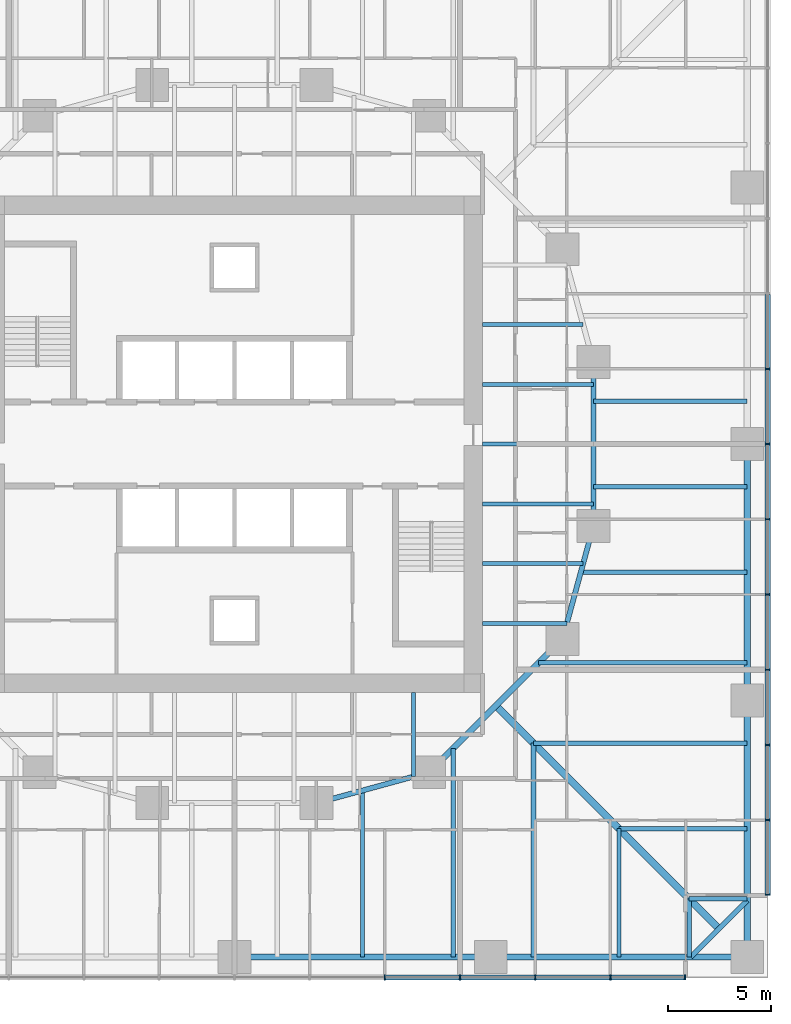
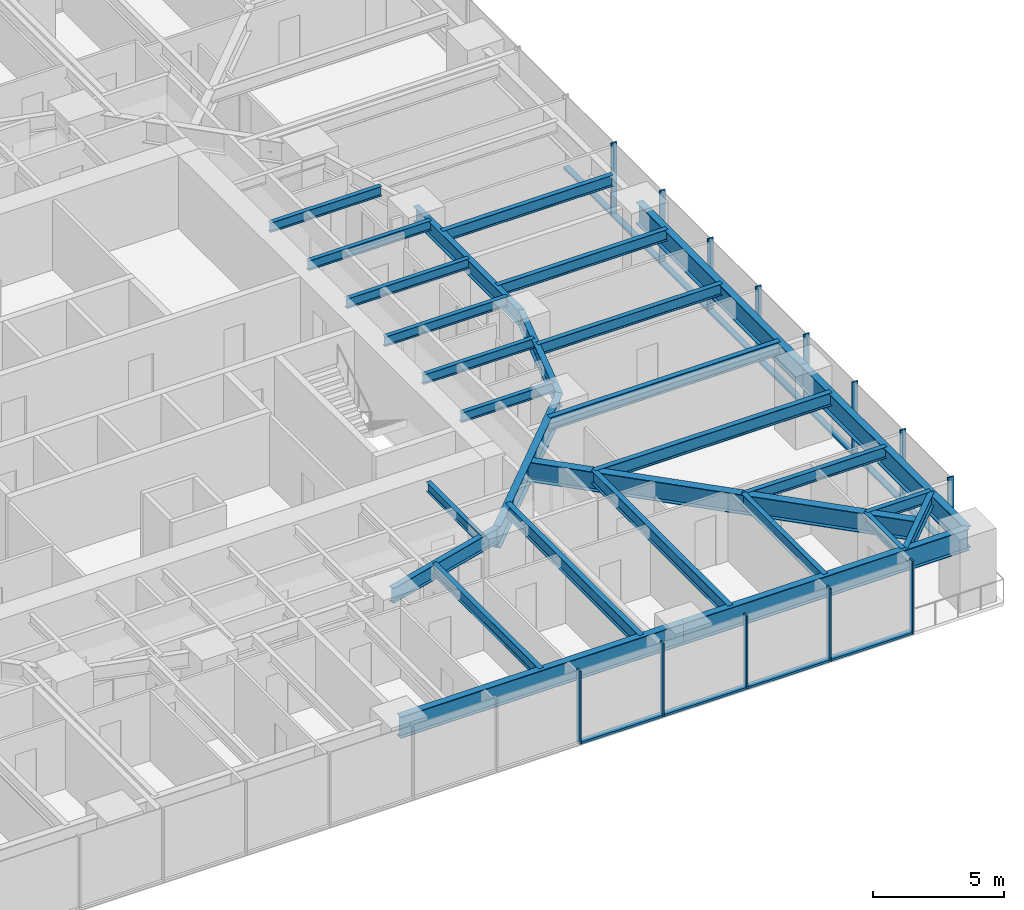
# One storey, part 4 of 14: 29 beams, 25 members, 2 elements without a shape of their own.
"""IFC4 building model written with IfcOpenShell, lengths in metres."""

from ifc_helpers import new_model, si_unit, direction, frame, origin, origin_2d, place, context, subcontext, project, spatial, rectangle, i_section, extrude, material, material_profile, profile_set, type_object, element, aggregate, save


model = new_model("IFC4")

# Units and contexts
model_context = context("Model", 3, precision=1e-05, world=origin(), true_north=direction((0.0, 1.0)))
body_context = subcontext(model_context, "Body", "Model", "MODEL_VIEW")
ifc_project = project(units=[si_unit("LENGTHUNIT", "METRE"), si_unit("AREAUNIT", "SQUARE_METRE"), si_unit("VOLUMEUNIT", "CUBIC_METRE"), si_unit("PLANEANGLEUNIT", "RADIAN"), si_unit("MASSUNIT", "GRAM", prefix="KILO")], contexts=[model_context])

# Site, building, storey
site_placement = place(None, origin())
site = spatial("IfcSite", under=ifc_project, at=site_placement, CompositionType="ELEMENT")
building_placement = place(site_placement, origin())
building = spatial("IfcBuilding", under=site, at=building_placement, Name="Torsade Residences", CompositionType="ELEMENT")
storey_placement = place(building_placement, frame((0.0, 0.0, 32.0)))
storey = spatial("IfcBuildingStorey", under=building, at=storey_placement, Name="L08", CompositionType="ELEMENT", Elevation=32.0)

# Beams
ifc_material_1 = material(Name="Steel grade 300", Category="steel")
ifc_material_profile_1 = material_profile(ifc_material_1, i_section(OverallWidth=0.35009765625, OverallDepth=0.909912109375, WebThickness=0.011962890625, FlangeThickness=0.02490234375, at=origin_2d()), Name="900WB218")
ifc_profile_set_1 = profile_set([ifc_material_profile_1], Name="Steel grade 300")
beam_type_1 = type_object("IfcBeamType", Name="CORNER GIRDER 900WB218", PredefinedType="BEAM", material=ifc_profile_set_1)
beam_1_placement = place(storey_placement, frame((63.625, 6.375, 2.794921875), z_axis=(-0.707106781187, 0.707106781187, 0.0), x_axis=(-0.707106781187, -0.707106781187, 0.0)))
element("IfcBeam", 1, at=beam_1_placement, inside=storey, type_object=beam_type_1, Name="Corner girder 05 L09", PredefinedType="BEAM", context=body_context, shape_type="SweptSolid", body=[
    extrude(i_section(OverallWidth=0.35009765625, OverallDepth=0.909912109375, WebThickness=0.011962890625, FlangeThickness=0.02490234375, at=origin_2d()), origin(), (0.0, 0.0, 1.0), 15.379638671875),
])
ifc_material_2 = material(Name="Steel grade 300", Category="steel")
ifc_material_profile_2 = material_profile(ifc_material_2, i_section(OverallWidth=0.22802734375, OverallDepth=0.60205078125, WebThickness=0.010498046875, FlangeThickness=0.014892578125, FilletRadius=0.013916015625, at=origin_2d()), Name="610UB101")
ifc_profile_set_2 = profile_set([ifc_material_profile_2], Name="Steel grade 300")
beam_type_2 = type_object("IfcBeamType", Name="CORNER TRIMMER 610UB101", PredefinedType="BEAM", material=ifc_profile_set_2)
beam_2_placement = place(storey_placement, frame((65.0, 7.75, 2.948974609375), z_axis=(-0.707106781187, -0.707106781187, 0.0), x_axis=(0.707106781187, -0.707106781187, 0.0)))
element("IfcBeam", 2, at=beam_2_placement, inside=storey, type_object=beam_type_2, Name="Corner trimmer 05 L09", PredefinedType="BEAM", context=body_context, shape_type="SweptSolid", body=[
    extrude(i_section(OverallWidth=0.22802734375, OverallDepth=0.60205078125, WebThickness=0.010498046875, FlangeThickness=0.014892578125, FilletRadius=0.013916015625, at=origin_2d()), origin(), (0.0, 0.0, 1.0), 3.88916015625),
])

# Curtain wall, members
ifc_material_3 = material(Name="Aluminium and glass", Category="aluminium")
curtain_wall_type = type_object("IfcCurtainWallType", Name="FRITTED GLASS CURTAIN WALL LOW ZONE", PredefinedType="NOTDEFINED", material=ifc_material_3)
curtain_wall_1_placement = place(storey_placement, origin())
curtain_wall_1 = element("IfcCurtainWall", 3, at=curtain_wall_1_placement, inside=storey, type_object=curtain_wall_type, Name="Curtain wall L08 face 1", PredefinedType="NOTDEFINED")
ifc_material_4 = material(Name="Aluminium mullion", Category="aluminium")
ifc_material_profile_3 = material_profile(ifc_material_4, rectangle(XDim=0.25, YDim=0.06494140625, at=origin_2d()), Name="CURTAIN WALL MULLION 250x65")
ifc_profile_set_3 = profile_set([ifc_material_profile_3], Name="Aluminium mullion")
member_type_1 = type_object("IfcMemberType", Name="CURTAIN WALL MULLION 250x65", PredefinedType="MULLION", material=ifc_profile_set_3)
member_1_placement = place(storey_placement, frame((47.333251953125, 4.0, 0.0), z_axis=(0.0, 0.0, 1.0), x_axis=(0.0, 1.0, 0.0)))
member_1 = element("IfcMember", 4, at=member_1_placement, type_object=member_type_1, Name="Mullion 9", PredefinedType="MULLION", context=body_context, shape_type="SweptSolid", body=[
    extrude(rectangle(XDim=0.25, YDim=0.06494140625, at=origin_2d()), origin(), (0.0, 0.0, 1.0), 3.39990234375),
])
member_2_placement = place(storey_placement, frame((51.0, 4.0, 0.0), z_axis=(0.0, 0.0, 1.0), x_axis=(0.0, 1.0, 0.0)))
member_2 = element("IfcMember", 5, at=member_2_placement, type_object=member_type_1, Name="Mullion 10", PredefinedType="MULLION", context=body_context, shape_type="SweptSolid", body=[
    extrude(rectangle(XDim=0.25, YDim=0.06494140625, at=origin_2d()), origin(), (0.0, 0.0, 1.0), 3.39990234375),
])
member_3_placement = place(storey_placement, frame((54.666748046875, 4.0, 0.0), z_axis=(0.0, 0.0, 1.0), x_axis=(0.0, 1.0, 0.0)))
member_3 = element("IfcMember", 6, at=member_3_placement, type_object=member_type_1, Name="Mullion 11", PredefinedType="MULLION", context=body_context, shape_type="SweptSolid", body=[
    extrude(rectangle(XDim=0.25, YDim=0.06494140625, at=origin_2d()), origin(), (0.0, 0.0, 1.0), 3.39990234375),
])
member_4_placement = place(storey_placement, frame((58.333251953125, 4.0, 0.0), z_axis=(0.0, 0.0, 1.0), x_axis=(0.0, 1.0, 0.0)))
member_4 = element("IfcMember", 7, at=member_4_placement, type_object=member_type_1, Name="Mullion 12", PredefinedType="MULLION", context=body_context, shape_type="SweptSolid", body=[
    extrude(rectangle(XDim=0.25, YDim=0.06494140625, at=origin_2d()), origin(), (0.0, 0.0, 1.0), 3.39990234375),
])
member_5_placement = place(storey_placement, frame((61.967529296875, 4.0, 0.0), z_axis=(0.0, 0.0, 1.0), x_axis=(0.0, 1.0, 0.0)))
member_5 = element("IfcMember", 8, at=member_5_placement, type_object=member_type_1, Name="Mullion 13", PredefinedType="MULLION", context=body_context, shape_type="SweptSolid", body=[
    extrude(rectangle(XDim=0.25, YDim=0.06494140625, at=origin_2d()), origin(), (0.0, 0.0, 1.0), 3.39990234375),
])

curtain_wall_2_placement = place(storey_placement, origin())
curtain_wall_2 = element("IfcCurtainWall", 9, at=curtain_wall_2_placement, inside=storey, type_object=curtain_wall_type, Name="Curtain wall L08 face 4", PredefinedType="NOTDEFINED")
member_6_placement = place(storey_placement, frame((66.0, 8.032470703125, 0.0), z_axis=(0.0, 0.0, 1.0), x_axis=(-1.0, 0.0, 0.0)))
member_6 = element("IfcMember", 10, at=member_6_placement, type_object=member_type_1, Name="Mullion 1", PredefinedType="MULLION", context=body_context, shape_type="SweptSolid", body=[
    extrude(rectangle(XDim=0.25, YDim=0.06494140625, at=origin_2d()), origin(), (0.0, 0.0, 1.0), 3.39990234375),
])
member_7_placement = place(storey_placement, frame((66.0, 11.666748046875, 0.0), z_axis=(0.0, 0.0, 1.0), x_axis=(-1.0, 0.0, 0.0)))
member_7 = element("IfcMember", 11, at=member_7_placement, type_object=member_type_1, Name="Mullion 2", PredefinedType="MULLION", context=body_context, shape_type="SweptSolid", body=[
    extrude(rectangle(XDim=0.25, YDim=0.06494140625, at=origin_2d()), origin(), (0.0, 0.0, 1.0), 3.39990234375),
])
member_8_placement = place(storey_placement, frame((66.0, 15.333251953125, 0.0), z_axis=(0.0, 0.0, 1.0), x_axis=(-1.0, 0.0, 0.0)))
member_8 = element("IfcMember", 12, at=member_8_placement, type_object=member_type_1, Name="Mullion 3", PredefinedType="MULLION", context=body_context, shape_type="SweptSolid", body=[
    extrude(rectangle(XDim=0.25, YDim=0.06494140625, at=origin_2d()), origin(), (0.0, 0.0, 1.0), 3.39990234375),
])
member_9_placement = place(storey_placement, frame((66.0, 19.0, 0.0), z_axis=(0.0, 0.0, 1.0), x_axis=(-1.0, 0.0, 0.0)))
member_9 = element("IfcMember", 13, at=member_9_placement, type_object=member_type_1, Name="Mullion 4", PredefinedType="MULLION", context=body_context, shape_type="SweptSolid", body=[
    extrude(rectangle(XDim=0.25, YDim=0.06494140625, at=origin_2d()), origin(), (0.0, 0.0, 1.0), 3.39990234375),
])
member_10_placement = place(storey_placement, frame((66.0, 22.666748046875, 0.0), z_axis=(0.0, 0.0, 1.0), x_axis=(-1.0, 0.0, 0.0)))
member_10 = element("IfcMember", 14, at=member_10_placement, type_object=member_type_1, Name="Mullion 5", PredefinedType="MULLION", context=body_context, shape_type="SweptSolid", body=[
    extrude(rectangle(XDim=0.25, YDim=0.06494140625, at=origin_2d()), origin(), (0.0, 0.0, 1.0), 3.39990234375),
])
member_11_placement = place(storey_placement, frame((66.0, 26.333251953125, 0.0), z_axis=(0.0, 0.0, 1.0), x_axis=(-1.0, 0.0, 0.0)))
member_11 = element("IfcMember", 15, at=member_11_placement, type_object=member_type_1, Name="Mullion 6", PredefinedType="MULLION", context=body_context, shape_type="SweptSolid", body=[
    extrude(rectangle(XDim=0.25, YDim=0.06494140625, at=origin_2d()), origin(), (0.0, 0.0, 1.0), 3.39990234375),
])
member_12_placement = place(storey_placement, frame((66.0, 30.0, 0.0), z_axis=(0.0, 0.0, 1.0), x_axis=(-1.0, 0.0, 0.0)))
member_12 = element("IfcMember", 16, at=member_12_placement, type_object=member_type_1, Name="Mullion 7", PredefinedType="MULLION", context=body_context, shape_type="SweptSolid", body=[
    extrude(rectangle(XDim=0.25, YDim=0.06494140625, at=origin_2d()), origin(), (0.0, 0.0, 1.0), 3.39990234375),
])
member_13_placement = place(storey_placement, frame((66.0, 33.666748046875, 0.0), z_axis=(0.0, 0.0, 1.0), x_axis=(-1.0, 0.0, 0.0)))
member_13 = element("IfcMember", 17, at=member_13_placement, type_object=member_type_1, Name="Mullion 8", PredefinedType="MULLION", context=body_context, shape_type="SweptSolid", body=[
    extrude(rectangle(XDim=0.25, YDim=0.06494140625, at=origin_2d()), origin(), (0.0, 0.0, 1.0), 3.39990234375),
])

# Member
ifc_material_5 = material(Name="Aluminium transom", Category="aluminium")
ifc_material_profile_4 = material_profile(ifc_material_5, rectangle(XDim=0.25, YDim=0.10009765625, at=origin_2d()), Name="CURTAIN WALL TRANSOM 250x100")
ifc_profile_set_4 = profile_set([ifc_material_profile_4], Name="Aluminium transom")
member_type_2 = type_object("IfcMemberType", Name="CURTAIN WALL TRANSOM 250x100", PredefinedType="USERDEFINED", material=ifc_profile_set_4)
member_14_placement = place(storey_placement, frame((47.36572265625, 4.0, 0.050048828125), z_axis=(1.0, 0.0, 0.0), x_axis=(0.0, 1.0, 0.0)))
member_14 = element("IfcMember", 18, at=member_14_placement, type_object=member_type_2, Name="Transom 9.1", ObjectType="TRANSOM", PredefinedType="USERDEFINED", context=body_context, shape_type="SweptSolid", body=[
    extrude(rectangle(XDim=0.25, YDim=0.10009765625, at=origin_2d()), origin(), (0.0, 0.0, 1.0), 3.601806640625),
])

member_15_placement = place(storey_placement, frame((51.032470703125, 4.0, 0.050048828125), z_axis=(1.0, 0.0, 0.0), x_axis=(0.0, 1.0, 0.0)))
member_15 = element("IfcMember", 19, at=member_15_placement, type_object=member_type_2, Name="Transom 10.1", ObjectType="TRANSOM", PredefinedType="USERDEFINED", context=body_context, shape_type="SweptSolid", body=[
    extrude(rectangle(XDim=0.25, YDim=0.10009765625, at=origin_2d()), origin(), (0.0, 0.0, 1.0), 3.601806640625),
])

member_16_placement = place(storey_placement, frame((54.69921875, 4.0, 0.050048828125), z_axis=(1.0, 0.0, 0.0), x_axis=(0.0, 1.0, 0.0)))
member_16 = element("IfcMember", 20, at=member_16_placement, type_object=member_type_2, Name="Transom 11.1", ObjectType="TRANSOM", PredefinedType="USERDEFINED", context=body_context, shape_type="SweptSolid", body=[
    extrude(rectangle(XDim=0.25, YDim=0.10009765625, at=origin_2d()), origin(), (0.0, 0.0, 1.0), 3.6015625),
])

member_17_placement = place(storey_placement, frame((58.36572265625, 4.0, 0.050048828125), z_axis=(1.0, 0.0, 0.0), x_axis=(0.0, 1.0, 0.0)))
member_17 = element("IfcMember", 21, at=member_17_placement, type_object=member_type_2, Name="Transom 12.1", ObjectType="TRANSOM", PredefinedType="USERDEFINED", context=body_context, shape_type="SweptSolid", body=[
    extrude(rectangle(XDim=0.25, YDim=0.10009765625, at=origin_2d()), origin(), (0.0, 0.0, 1.0), 3.5693359375),
])

aggregate(curtain_wall_1, [member_1, member_2, member_3, member_4, member_5, member_14, member_15, member_16, member_17])

member_18_placement = place(storey_placement, frame((66.0, 8.06494140625, 0.050048828125), z_axis=(0.0, 1.0, 0.0), x_axis=(-1.0, 0.0, 0.0)))
member_18 = element("IfcMember", 22, at=member_18_placement, type_object=member_type_2, Name="Transom 1.1", ObjectType="TRANSOM", PredefinedType="USERDEFINED", context=body_context, shape_type="SweptSolid", body=[
    extrude(rectangle(XDim=0.25, YDim=0.10009765625, at=origin_2d()), origin(), (0.0, 0.0, 1.0), 3.5693359375),
])

member_19_placement = place(storey_placement, frame((66.0, 11.69921875, 0.050048828125), z_axis=(0.0, 1.0, 0.0), x_axis=(-1.0, 0.0, 0.0)))
member_19 = element("IfcMember", 23, at=member_19_placement, type_object=member_type_2, Name="Transom 2.1", ObjectType="TRANSOM", PredefinedType="USERDEFINED", context=body_context, shape_type="SweptSolid", body=[
    extrude(rectangle(XDim=0.25, YDim=0.10009765625, at=origin_2d()), origin(), (0.0, 0.0, 1.0), 3.6015625),
])

member_20_placement = place(storey_placement, frame((66.0, 15.36572265625, 0.050048828125), z_axis=(0.0, 1.0, 0.0), x_axis=(-1.0, 0.0, 0.0)))
member_20 = element("IfcMember", 24, at=member_20_placement, type_object=member_type_2, Name="Transom 3.1", ObjectType="TRANSOM", PredefinedType="USERDEFINED", context=body_context, shape_type="SweptSolid", body=[
    extrude(rectangle(XDim=0.25, YDim=0.10009765625, at=origin_2d()), origin(), (0.0, 0.0, 1.0), 3.601806640625),
])

member_21_placement = place(storey_placement, frame((66.0, 19.032470703125, 0.050048828125), z_axis=(0.0, 1.0, 0.0), x_axis=(-1.0, 0.0, 0.0)))
member_21 = element("IfcMember", 25, at=member_21_placement, type_object=member_type_2, Name="Transom 4.1", ObjectType="TRANSOM", PredefinedType="USERDEFINED", context=body_context, shape_type="SweptSolid", body=[
    extrude(rectangle(XDim=0.25, YDim=0.10009765625, at=origin_2d()), origin(), (0.0, 0.0, 1.0), 3.601806640625),
])

member_22_placement = place(storey_placement, frame((66.0, 22.69921875, 0.050048828125), z_axis=(0.0, 1.0, 0.0), x_axis=(-1.0, 0.0, 0.0)))
member_22 = element("IfcMember", 26, at=member_22_placement, type_object=member_type_2, Name="Transom 5.1", ObjectType="TRANSOM", PredefinedType="USERDEFINED", context=body_context, shape_type="SweptSolid", body=[
    extrude(rectangle(XDim=0.25, YDim=0.10009765625, at=origin_2d()), origin(), (0.0, 0.0, 1.0), 3.6015625),
])

member_23_placement = place(storey_placement, frame((66.0, 26.36572265625, 0.050048828125), z_axis=(0.0, 1.0, 0.0), x_axis=(-1.0, 0.0, 0.0)))
member_23 = element("IfcMember", 27, at=member_23_placement, type_object=member_type_2, Name="Transom 6.1", ObjectType="TRANSOM", PredefinedType="USERDEFINED", context=body_context, shape_type="SweptSolid", body=[
    extrude(rectangle(XDim=0.25, YDim=0.10009765625, at=origin_2d()), origin(), (0.0, 0.0, 1.0), 3.601806640625),
])

member_24_placement = place(storey_placement, frame((66.0, 30.032470703125, 0.050048828125), z_axis=(0.0, 1.0, 0.0), x_axis=(-1.0, 0.0, 0.0)))
member_24 = element("IfcMember", 28, at=member_24_placement, type_object=member_type_2, Name="Transom 7.1", ObjectType="TRANSOM", PredefinedType="USERDEFINED", context=body_context, shape_type="SweptSolid", body=[
    extrude(rectangle(XDim=0.25, YDim=0.10009765625, at=origin_2d()), origin(), (0.0, 0.0, 1.0), 3.601806640625),
])

member_25_placement = place(storey_placement, frame((66.0, 33.69921875, 0.050048828125), z_axis=(0.0, 1.0, 0.0), x_axis=(-1.0, 0.0, 0.0)))
member_25 = element("IfcMember", 29, at=member_25_placement, type_object=member_type_2, Name="Transom 8.1", ObjectType="TRANSOM", PredefinedType="USERDEFINED", context=body_context, shape_type="SweptSolid", body=[
    extrude(rectangle(XDim=0.25, YDim=0.10009765625, at=origin_2d()), origin(), (0.0, 0.0, 1.0), 3.6015625),
])

aggregate(curtain_wall_2, [member_6, member_7, member_8, member_9, member_10, member_11, member_12, member_13, member_18, member_19, member_20, member_21, member_22, member_23, member_24, member_25])

# Beams
ifc_material_6 = material(Name="Steel grade 300", Category="steel")
ifc_material_profile_5 = material_profile(ifc_material_6, i_section(OverallWidth=0.300048828125, OverallDepth=1.0, WebThickness=0.01611328125, FlangeThickness=0.028076171875, at=origin_2d()), Name="1000WB215")
ifc_profile_set_5 = profile_set([ifc_material_profile_5], Name="Steel grade 300")
beam_type_3 = type_object("IfcBeamType", Name="EDGE BEAM 1000WB215", PredefinedType="SPANDREL", material=ifc_profile_set_5)
for number, where, z_axis, x_axis, name in (
    (30, (40.0, 5.0, 2.75), (1.0, 0.0, 0.0), (0.0, 1.0, 0.0), "Edge beam 03 L09"),
    (31, (52.5, 5.0, 2.75), (1.0, 0.0, 0.0), (0.0, 1.0, 0.0), "Edge beam 04 L09"),
    (32, (65.0, 5.0, 2.75), (0.0, 1.0, 0.0), (-1.0, 0.0, 0.0), "Edge beam 05 L09"),
    (33, (65.0, 17.5, 2.75), (0.0, 1.0, 0.0), (-1.0, 0.0, 0.0), "Edge beam 06 L09"),
):
    element("IfcBeam", number, at=place(storey_placement, frame(where, z_axis=z_axis, x_axis=x_axis)), inside=storey, type_object=beam_type_3, Name=name, PredefinedType="SPANDREL", context=body_context, shape_type="SweptSolid", body=[
        extrude(i_section(OverallWidth=0.300048828125, OverallDepth=1.0, WebThickness=0.01611328125, FlangeThickness=0.028076171875, at=origin_2d()), origin(), (0.0, 0.0, 1.0), 12.5),
    ])
ifc_material_7 = material(Name="Steel grade 300", Category="steel")
ifc_material_profile_6 = material_profile(ifc_material_7, i_section(OverallWidth=0.18994140625, OverallDepth=0.4541015625, WebThickness=0.008544921875, FlangeThickness=0.0126953125, FilletRadius=0.011474609375, at=origin_2d()), Name="460UB67.1")
ifc_profile_set_6 = profile_set([ifc_material_profile_6], Name="Steel grade 300")
beam_type_4 = type_object("IfcBeamType", Name="INNER FLOOR BEAM 460UB67.1", PredefinedType="JOIST", material=ifc_profile_set_6)
for number, where, z_axis, x_axis, name in (
    (34, (48.737548828125, 17.89990234375, 3.02294921875), (0.0, -1.0, 0.0), (1.0, 0.0, 0.0), "Inner floor beam IS01 L09"),
    (35, (52.10009765625, 21.262451171875, 3.02294921875), (1.0, 0.0, 0.0), (0.0, 1.0, 0.0), "Inner floor beam IE01 L09"),
):
    element("IfcBeam", number, at=place(storey_placement, frame(where, z_axis=z_axis, x_axis=x_axis)), inside=storey, type_object=beam_type_4, Name=name, PredefinedType="JOIST", context=body_context, shape_type="SweptSolid", body=[
        extrude(i_section(OverallWidth=0.18994140625, OverallDepth=0.4541015625, WebThickness=0.008544921875, FlangeThickness=0.0126953125, FilletRadius=0.011474609375, at=origin_2d()), origin(), (0.0, 0.0, 1.0), 4.10791015625),
    ])
beam_3_placement = place(storey_placement, frame((52.10009765625, 24.175048828125, 3.02294921875), z_axis=(1.0, 0.0, 0.0), x_axis=(0.0, 1.0, 0.0)))
element("IfcBeam", 36, at=beam_3_placement, inside=storey, type_object=beam_type_4, Name="Inner floor beam IE02 L09", PredefinedType="JOIST", context=body_context, shape_type="SweptSolid", body=[
    extrude(i_section(OverallWidth=0.18994140625, OverallDepth=0.4541015625, WebThickness=0.008544921875, FlangeThickness=0.0126953125, FilletRadius=0.011474609375, at=origin_2d()), origin(), (0.0, 0.0, 1.0), 4.902099609375),
])
for number, where, z_axis, x_axis, name in (
    (37, (52.10009765625, 27.08740234375, 3.02294921875), (1.0, 0.0, 0.0), (0.0, 1.0, 0.0), "Inner floor beam IE03 L09"),
    (38, (52.10009765625, 30.0, 3.02294921875), (1.0, 0.0, 0.0), (0.0, 1.0, 0.0), "Inner floor beam IE04 L09"),
    (39, (52.10009765625, 32.91259765625, 3.02294921875), (1.0, 0.0, 0.0), (0.0, 1.0, 0.0), "Inner floor beam IE05 L09"),
):
    element("IfcBeam", number, at=place(storey_placement, frame(where, z_axis=z_axis, x_axis=x_axis)), inside=storey, type_object=beam_type_4, Name=name, PredefinedType="JOIST", context=body_context, shape_type="SweptSolid", body=[
        extrude(i_section(OverallWidth=0.18994140625, OverallDepth=0.4541015625, WebThickness=0.008544921875, FlangeThickness=0.0126953125, FilletRadius=0.011474609375, at=origin_2d()), origin(), (0.0, 0.0, 1.0), 5.39990234375),
    ])
beam_4_placement = place(storey_placement, frame((52.10009765625, 35.824951171875, 3.02294921875), z_axis=(1.0, 0.0, 0.0), x_axis=(0.0, 1.0, 0.0)))
element("IfcBeam", 40, at=beam_4_placement, inside=storey, type_object=beam_type_4, Name="Inner floor beam IE06 L09", PredefinedType="JOIST", context=body_context, shape_type="SweptSolid", body=[
    extrude(i_section(OverallWidth=0.18994140625, OverallDepth=0.4541015625, WebThickness=0.008544921875, FlangeThickness=0.0126953125, FilletRadius=0.011474609375, at=origin_2d()), origin(), (0.0, 0.0, 1.0), 4.902099609375),
])
ifc_material_8 = material(Name="Steel grade 300", Category="steel")
ifc_material_profile_7 = material_profile(ifc_material_8, i_section(OverallWidth=0.300048828125, OverallDepth=1.0, WebThickness=0.01611328125, FlangeThickness=0.028076171875, at=origin_2d()), Name="1000WB215")
ifc_profile_set_7 = profile_set([ifc_material_profile_7], Name="Steel grade 300")
beam_type_5 = type_object("IfcBeamType", Name="RING CORNER GIRDER 1000WB215", PredefinedType="BEAM", material=ifc_profile_set_7)
beam_5_placement = place(storey_placement, frame((49.5, 14.0, 2.75), z_axis=(0.707106781187, 0.707106781187, 0.0), x_axis=(-0.707106781187, 0.707106781187, 0.0)))
element("IfcBeam", 41, at=beam_5_placement, inside=storey, type_object=beam_type_5, Name="Ring girder IR15 L09", PredefinedType="BEAM", context=body_context, shape_type="SweptSolid", body=[
    extrude(i_section(OverallWidth=0.300048828125, OverallDepth=1.0, WebThickness=0.01611328125, FlangeThickness=0.028076171875, at=origin_2d()), origin(), (0.0, 0.0, 1.0), 9.1923828125),
])
ifc_material_9 = material(Name="Steel grade 300", Category="steel")
ifc_material_profile_8 = material_profile(ifc_material_9, i_section(OverallWidth=0.25, OverallDepth=0.699951171875, WebThickness=0.010009765625, FlangeThickness=0.02001953125, at=origin_2d()), Name="700WB130")
ifc_profile_set_8 = profile_set([ifc_material_profile_8], Name="Steel grade 300")
beam_type_6 = type_object("IfcBeamType", Name="RING GIRDER 700WB130", PredefinedType="BEAM", material=ifc_profile_set_8)
beam_6_placement = place(storey_placement, frame((57.5, 26.0, 2.89990234375), z_axis=(0.0, 1.0, 0.0), x_axis=(-1.0, 0.0, 0.0)))
element("IfcBeam", 42, at=beam_6_placement, inside=storey, type_object=beam_type_6, Name="Ring girder IR01 L09", PredefinedType="BEAM", context=body_context, shape_type="SweptSolid", body=[
    extrude(i_section(OverallWidth=0.25, OverallDepth=0.699951171875, WebThickness=0.010009765625, FlangeThickness=0.02001953125, at=origin_2d()), origin(), (0.0, 0.0, 1.0), 8.0),
])
for number, where, z_axis, x_axis, name in (
    (43, (44.0, 12.5, 2.89990234375), (0.964763821238, 0.263117405792, 0.0), (-0.263117405792, 0.964763821238, 0.0), "Ring girder IR14 L09"),
    (44, (56.0, 20.5, 2.89990234375), (0.263117405792, 0.964763821238, 0.0), (-0.964763821238, 0.263117405792, 0.0), "Ring girder IR16 L09"),
):
    element("IfcBeam", number, at=place(storey_placement, frame(where, z_axis=z_axis, x_axis=x_axis)), inside=storey, type_object=beam_type_6, Name=name, PredefinedType="BEAM", context=body_context, shape_type="SweptSolid", body=[
        extrude(i_section(OverallWidth=0.25, OverallDepth=0.699951171875, WebThickness=0.010009765625, FlangeThickness=0.02001953125, at=origin_2d()), origin(), (0.0, 0.0, 1.0), 5.700927734375),
    ])
ifc_material_10 = material(Name="Steel grade 300", Category="steel")
ifc_material_profile_9 = material_profile(ifc_material_10, i_section(OverallWidth=0.208984375, OverallDepth=0.528076171875, WebThickness=0.009521484375, FlangeThickness=0.01318359375, FilletRadius=0.013916015625, at=origin_2d()), Name="530UB82.0")
ifc_profile_set_9 = profile_set([ifc_material_profile_9], Name="Steel grade 300")
beam_type_7 = type_object("IfcBeamType", Name="SECONDARY BEAM 530UB82.0", PredefinedType="JOIST", material=ifc_profile_set_9)
beam_7_placement = place(storey_placement, frame((46.25, 5.0, 2.986083984375), z_axis=(0.0, 1.0, 0.0), x_axis=(-1.0, 0.0, 0.0)))
element("IfcBeam", 45, at=beam_7_placement, inside=storey, type_object=beam_type_7, Name="Floor beam FS08 L09", PredefinedType="JOIST", context=body_context, shape_type="SweptSolid", body=[
    extrude(i_section(OverallWidth=0.208984375, OverallDepth=0.528076171875, WebThickness=0.009521484375, FlangeThickness=0.01318359375, FilletRadius=0.013916015625, at=origin_2d()), origin(), (0.0, 0.0, 1.0), 8.113525390625),
])
beam_8_placement = place(storey_placement, frame((58.75, 5.0, 2.986083984375), z_axis=(0.0, 1.0, 0.0), x_axis=(-1.0, 0.0, 0.0)))
element("IfcBeam", 46, at=beam_8_placement, inside=storey, type_object=beam_type_7, Name="Floor beam FS11 L09", PredefinedType="JOIST", context=body_context, shape_type="SweptSolid", body=[
    extrude(i_section(OverallWidth=0.208984375, OverallDepth=0.528076171875, WebThickness=0.009521484375, FlangeThickness=0.01318359375, FilletRadius=0.013916015625, at=origin_2d()), origin(), (0.0, 0.0, 1.0), 6.25),
])
for number, where, z_axis, x_axis, name in (
    (47, (62.166748046875, 5.0, 2.986083984375), (0.0, 1.0, 0.0), (-1.0, 0.0, 0.0), "Floor beam FS12 L09"),
    (48, (65.0, 7.833251953125, 2.986083984375), (-1.0, 0.0, 0.0), (0.0, -1.0, 0.0), "Floor beam FE01 L09"),
):
    element("IfcBeam", number, at=place(storey_placement, frame(where, z_axis=z_axis, x_axis=x_axis)), inside=storey, type_object=beam_type_7, Name=name, PredefinedType="JOIST", context=body_context, shape_type="SweptSolid", body=[
        extrude(i_section(OverallWidth=0.208984375, OverallDepth=0.528076171875, WebThickness=0.009521484375, FlangeThickness=0.01318359375, FilletRadius=0.013916015625, at=origin_2d()), origin(), (0.0, 0.0, 1.0), 2.833251953125),
    ])
beam_9_placement = place(storey_placement, frame((65.0, 11.25, 2.986083984375), z_axis=(-1.0, 0.0, 0.0), x_axis=(0.0, -1.0, 0.0)))
element("IfcBeam", 49, at=beam_9_placement, inside=storey, type_object=beam_type_7, Name="Floor beam FE02 L09", PredefinedType="JOIST", context=body_context, shape_type="SweptSolid", body=[
    extrude(i_section(OverallWidth=0.208984375, OverallDepth=0.528076171875, WebThickness=0.009521484375, FlangeThickness=0.01318359375, FilletRadius=0.013916015625, at=origin_2d()), origin(), (0.0, 0.0, 1.0), 6.25),
])
beam_10_placement = place(storey_placement, frame((65.0, 23.75, 2.986083984375), z_axis=(-1.0, 0.0, 0.0), x_axis=(0.0, -1.0, 0.0)))
element("IfcBeam", 50, at=beam_10_placement, inside=storey, type_object=beam_type_7, Name="Floor beam FE05 L09", PredefinedType="JOIST", context=body_context, shape_type="SweptSolid", body=[
    extrude(i_section(OverallWidth=0.208984375, OverallDepth=0.528076171875, WebThickness=0.009521484375, FlangeThickness=0.01318359375, FilletRadius=0.013916015625, at=origin_2d()), origin(), (0.0, 0.0, 1.0), 8.113525390625),
])
for number, where, z_axis, x_axis, name in (
    (51, (65.0, 27.916748046875, 2.986083984375), (-1.0, 0.0, 0.0), (0.0, -1.0, 0.0), "Floor beam FE06 L09"),
    (52, (65.0, 32.083251953125, 2.986083984375), (-1.0, 0.0, 0.0), (0.0, -1.0, 0.0), "Floor beam FE07 L09"),
):
    element("IfcBeam", number, at=place(storey_placement, frame(where, z_axis=z_axis, x_axis=x_axis)), inside=storey, type_object=beam_type_7, Name=name, PredefinedType="JOIST", context=body_context, shape_type="SweptSolid", body=[
        extrude(i_section(OverallWidth=0.208984375, OverallDepth=0.528076171875, WebThickness=0.009521484375, FlangeThickness=0.01318359375, FilletRadius=0.013916015625, at=origin_2d()), origin(), (0.0, 0.0, 1.0), 7.5),
    ])
ifc_material_11 = material(Name="Steel grade 300", Category="steel")
ifc_material_profile_10 = material_profile(ifc_material_11, i_section(OverallWidth=0.22900390625, OverallDepth=0.612060546875, WebThickness=0.011962890625, FlangeThickness=0.01953125, FilletRadius=0.013916015625, at=origin_2d()), Name="610UB125")
ifc_profile_set_10 = profile_set([ifc_material_profile_10], Name="Steel grade 300")
beam_type_8 = type_object("IfcBeamType", Name="SECONDARY BEAM 610UB125", PredefinedType="JOIST", material=ifc_profile_set_10)
beam_11_placement = place(storey_placement, frame((50.666748046875, 5.0, 2.944091796875), z_axis=(0.0, 1.0, 0.0), x_axis=(-1.0, 0.0, 0.0)))
element("IfcBeam", 53, at=beam_11_placement, inside=storey, type_object=beam_type_8, Name="Floor beam FS09 L09", PredefinedType="JOIST", context=body_context, shape_type="SweptSolid", body=[
    extrude(i_section(OverallWidth=0.22900390625, OverallDepth=0.612060546875, WebThickness=0.011962890625, FlangeThickness=0.01953125, FilletRadius=0.013916015625, at=origin_2d()), origin(), (0.0, 0.0, 1.0), 10.166748046875),
])
for number, where, z_axis, x_axis, name in (
    (54, (54.583251953125, 5.0, 2.944091796875), (0.0, 1.0, 0.0), (-1.0, 0.0, 0.0), "Floor beam FS10 L09"),
    (55, (65.0, 15.416748046875, 2.944091796875), (-1.0, 0.0, 0.0), (0.0, -1.0, 0.0), "Floor beam FE03 L09"),
):
    element("IfcBeam", number, at=place(storey_placement, frame(where, z_axis=z_axis, x_axis=x_axis)), inside=storey, type_object=beam_type_8, Name=name, PredefinedType="JOIST", context=body_context, shape_type="SweptSolid", body=[
        extrude(i_section(OverallWidth=0.22900390625, OverallDepth=0.612060546875, WebThickness=0.011962890625, FlangeThickness=0.01953125, FilletRadius=0.013916015625, at=origin_2d()), origin(), (0.0, 0.0, 1.0), 10.416748046875),
    ])
beam_12_placement = place(storey_placement, frame((65.0, 19.333251953125, 2.944091796875), z_axis=(-1.0, 0.0, 0.0), x_axis=(0.0, -1.0, 0.0)))
element("IfcBeam", 56, at=beam_12_placement, inside=storey, type_object=beam_type_8, Name="Floor beam FE04 L09", PredefinedType="JOIST", context=body_context, shape_type="SweptSolid", body=[
    extrude(i_section(OverallWidth=0.22900390625, OverallDepth=0.612060546875, WebThickness=0.011962890625, FlangeThickness=0.01953125, FilletRadius=0.013916015625, at=origin_2d()), origin(), (0.0, 0.0, 1.0), 10.166748046875),
])

save(model, "model.ifc")
